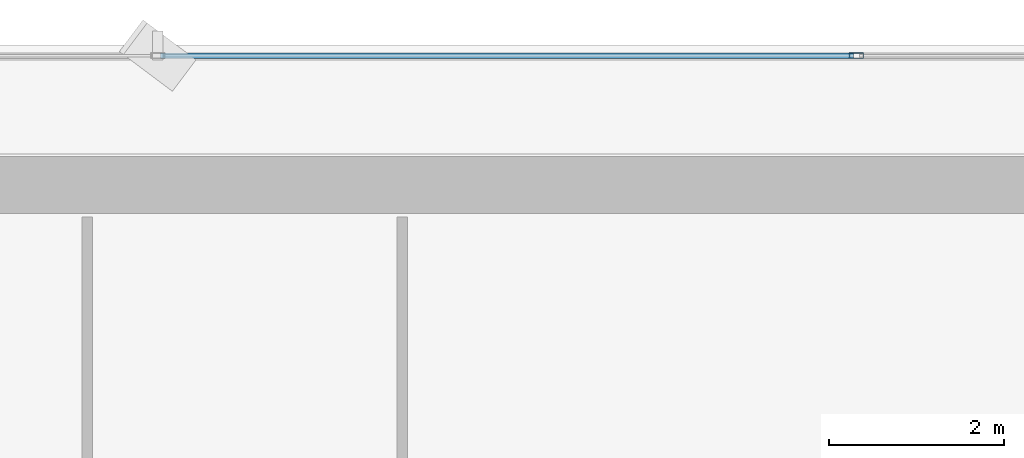
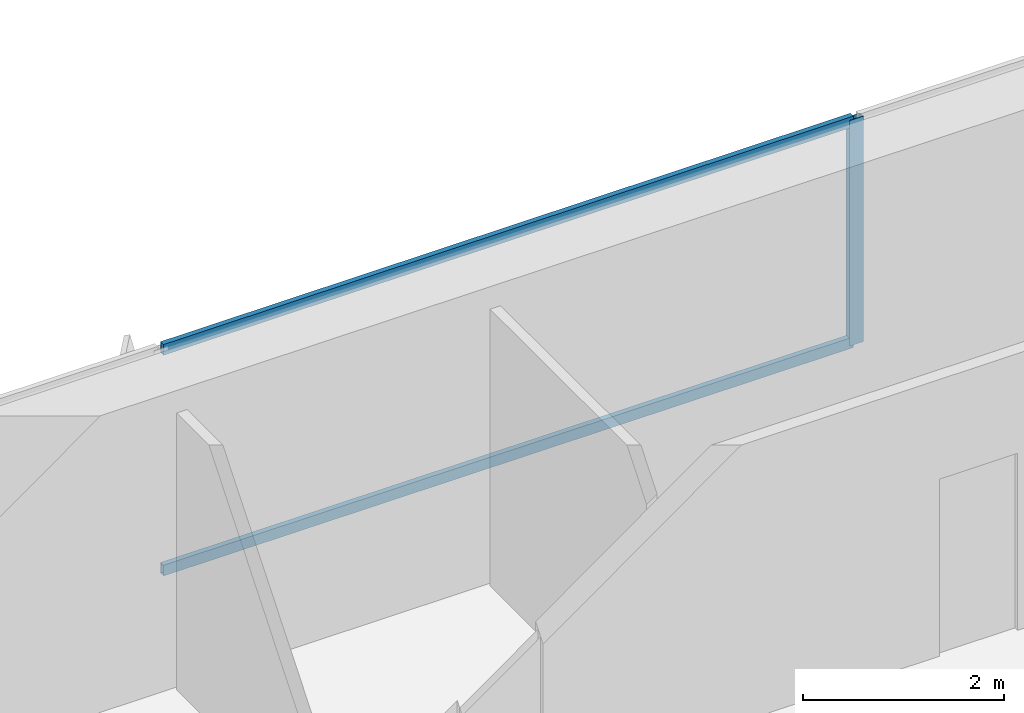
# One storey, part 21 of 34: 3 members, 1 element without a shape of its own.
"""IFC4 building model written with IfcOpenShell, lengths in metres."""

from ifc_helpers import new_model, si_unit, direction, frame, origin, origin_2d, place, context, subcontext, project, spatial, hollow_rectangle, extrude, source, transform, mapped, material, layer, layer_set, material_profile, profile_set, type_object, element, aggregate, save


model = new_model("IFC4")

# Units and contexts
model_context = context("Model", 3, precision=1e-05, world=origin(), true_north=direction((0.0, 1.0)))
body_context = subcontext(model_context, "Body", "Model", "MODEL_VIEW")
ifc_project = project(units=[si_unit("LENGTHUNIT", "METRE"), si_unit("AREAUNIT", "SQUARE_METRE"), si_unit("VOLUMEUNIT", "CUBIC_METRE"), si_unit("PLANEANGLEUNIT", "RADIAN"), si_unit("MASSUNIT", "GRAM", prefix="KILO")], contexts=[model_context])

# Site, building, storey
site_placement = place(None, origin())
site = spatial("IfcSite", under=ifc_project, at=site_placement, CompositionType="ELEMENT")
building_placement = place(site_placement, origin())
building = spatial("IfcBuilding", under=site, at=building_placement, Name="Sumidabori Civic Tower", CompositionType="ELEMENT")
storey_placement = place(building_placement, frame((0.0, 0.0, 106.39990234375)))
storey = spatial("IfcBuildingStorey", under=building, at=storey_placement, Name="L27", CompositionType="ELEMENT", Elevation=106.39990234375)

# Curtain wall, members
ifc_material = material(Name="Anodised Bronze Aluminium AW-6063-T6", Category="aluminium")
ifc_layer = layer(ifc_material, 0.179931640625, Name="Anodised Bronze Aluminium AW-6063-T6")
ifc_layer_set = layer_set([ifc_layer], Name="Anodised Bronze Aluminium AW-6063-T6")
curtain_wall_type = type_object("IfcCurtainWallType", Name="CW-SYS-3", PredefinedType="NOTDEFINED", material=ifc_layer_set)
curtain_wall_placement = place(storey_placement, origin())
curtain_wall = element("IfcCurtainWall", 1, at=curtain_wall_placement, inside=storey, type_object=curtain_wall_type, Name="Curtain Wall CW:L27:R07", PredefinedType="NOTDEFINED")
ifc_material_profile_1 = material_profile(ifc_material, hollow_rectangle(XDim=0.06494140625, YDim=0.159912109375, WallThickness=0.0048828125, at=origin_2d()), Name="ALU MULLION 160x65")
ifc_profile_set_1 = profile_set([ifc_material_profile_1], Name="Anodised Bronze Aluminium AW-6063-T6")
member_type_1 = type_object("IfcMemberType", Name="CW-MUL-160", PredefinedType="MULLION", material=ifc_profile_set_1)
shared_shape_1 = source(origin(), body_context, "Body", "SweptSolid", [
    extrude(hollow_rectangle(XDim=0.06494140625, YDim=0.159912109375, WallThickness=0.0048828125, at=origin_2d()), origin(), (0.0, 0.0, 1.0), 2.739990234375),
])
member_1_placement = place(storey_placement, frame((3.993896484375, 25.280029296875, 0.0), z_axis=(0.0, 0.0, 1.0), x_axis=(0.0, -1.0, 0.0)))
member_1 = element("IfcMember", 2, at=member_1_placement, type_object=member_type_1, Name="CW-3 mullion 3", PredefinedType="MULLION", context=body_context, shape_type="MappedRepresentation", body=[
    mapped(shared_shape_1, transform((0.0, 0.0, 0.0), x_axis=(1.0, 0.0, 0.0), y_axis=(0.0, 1.0, 0.0), z_axis=(0.0, 0.0, 1.0), scale=1.0)),
])
ifc_material_profile_2 = material_profile(ifc_material, hollow_rectangle(XDim=0.06005859375, YDim=0.1298828125, WallThickness=0.0048828125, at=origin_2d()), Name="ALU TRANSOM 130x60")
ifc_profile_set_2 = profile_set([ifc_material_profile_2], Name="Anodised Bronze Aluminium AW-6063-T6")
member_type_2 = type_object("IfcMemberType", Name="CW-TRN-130", PredefinedType="USERDEFINED", material=ifc_profile_set_2)
shared_shape_2 = source(origin(), body_context, "Body", "SweptSolid", [
    extrude(hollow_rectangle(XDim=0.06005859375, YDim=0.1298828125, WallThickness=0.0048828125, at=origin_2d()), origin(), (0.0, 0.0, 1.0), 7.9228515625),
])
member_2_placement = place(storey_placement, frame((3.96142578125, 25.280029296875, 0.030029296875), z_axis=(-1.0, 0.0, 0.0), x_axis=(0.0, -1.0, 0.0)))
member_2 = element("IfcMember", 3, at=member_2_placement, type_object=member_type_2, Name="CW-3 transom 3.1", ObjectType="TRANSOM", PredefinedType="USERDEFINED", context=body_context, shape_type="MappedRepresentation", body=[
    mapped(shared_shape_2, transform((0.0, 0.0, 0.0), x_axis=(1.0, 0.0, 0.0), y_axis=(0.0, 1.0, 0.0), z_axis=(0.0, 0.0, 1.0), scale=1.0)),
])
member_3_placement = place(storey_placement, frame((3.96142578125, 25.280029296875, 2.710205078125), z_axis=(-1.0, 0.0, 0.0), x_axis=(0.0, -1.0, 0.0)))
member_3 = element("IfcMember", 4, at=member_3_placement, type_object=member_type_2, Name="CW-3 transom 3.2", ObjectType="TRANSOM", PredefinedType="USERDEFINED", context=body_context, shape_type="MappedRepresentation", body=[
    mapped(shared_shape_2, transform((0.0, 0.0, 0.0), x_axis=(1.0, 0.0, 0.0), y_axis=(0.0, 1.0, 0.0), z_axis=(0.0, 0.0, 1.0), scale=1.0)),
])
aggregate(curtain_wall, [member_1, member_2, member_3])

save(model, "model.ifc")
